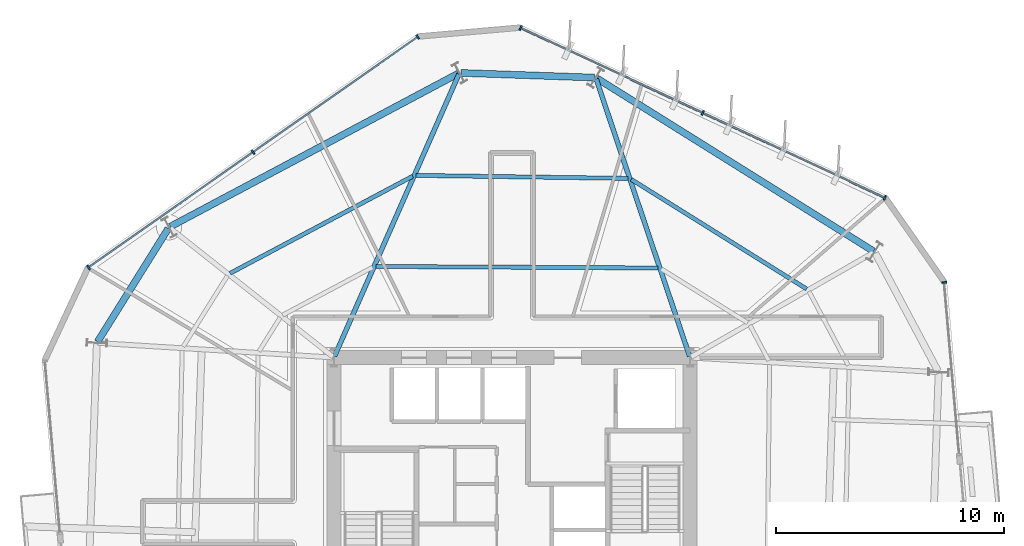
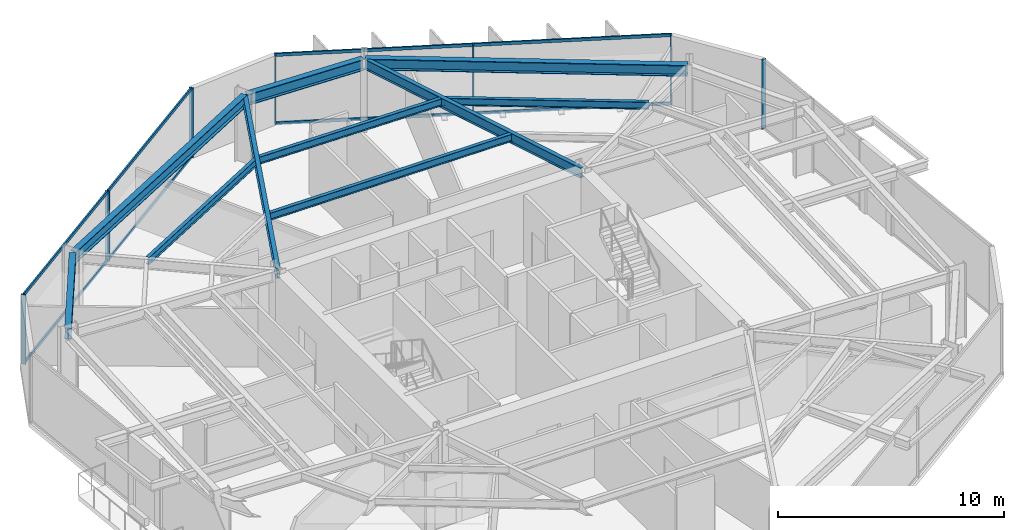
# One storey, part 5 of 13: 15 members, 10 beams, 3 elements without a shape of their own.
"""IFC4 building model written with IfcOpenShell, lengths in metres."""

from ifc_helpers import new_model, si_unit, direction, frame, origin, origin_2d, place, context, subcontext, project, spatial, rectangle, i_section, extrude, material, layer, layer_set, material_profile, profile_set, type_object, element, aggregate, save


model = new_model("IFC4")

# Units and contexts
model_context = context("Model", 3, precision=1e-05, world=origin(), true_north=direction((0.0, 1.0)))
body_context = subcontext(model_context, "Body", "Model", "MODEL_VIEW")
ifc_project = project(units=[si_unit("LENGTHUNIT", "METRE"), si_unit("AREAUNIT", "SQUARE_METRE"), si_unit("VOLUMEUNIT", "CUBIC_METRE"), si_unit("PLANEANGLEUNIT", "RADIAN"), si_unit("MASSUNIT", "GRAM", prefix="KILO")], contexts=[model_context])

# Site, building, storey
site_placement = place(None, origin())
site = spatial("IfcSite", under=ifc_project, at=site_placement, CompositionType="ELEMENT")
building_placement = place(site_placement, origin())
building = spatial("IfcBuilding", under=site, at=building_placement, Name="Kranzbogen Civic Tower", CompositionType="ELEMENT")
storey_placement = place(building_placement, frame((0.0, 0.0, 162.39990234375)))
storey = spatial("IfcBuildingStorey", under=building, at=storey_placement, Name="L39", CompositionType="ELEMENT", Elevation=162.39990234375)

# Curtain wall, members
ifc_material_1 = material(Name="Pale Anodised Aluminium", Category="aluminium")
ifc_layer = layer(ifc_material_1, 0.219970703125, Name="Pale Anodised Aluminium")
ifc_layer_set = layer_set([ifc_layer], Name="Pale Anodised Aluminium")
curtain_wall_type = type_object("IfcCurtainWallType", Name="Zone 2 Stick Curtain Wall System CW-03", PredefinedType="USERDEFINED", material=ifc_layer_set)
curtain_wall_1_placement = place(storey_placement, origin())
curtain_wall_1 = element("IfcCurtainWall", 1, at=curtain_wall_1_placement, inside=storey, type_object=curtain_wall_type, Name="L39 curtain wall CW-L39-F1", ObjectType="STICK CURTAIN WALL", PredefinedType="USERDEFINED")
ifc_material_profile_1 = material_profile(ifc_material_1, rectangle(XDim=0.074951171875, YDim=0.219970703125, at=origin_2d()), Name="ALU-M 75x220")
ifc_profile_set_1 = profile_set([ifc_material_profile_1], Name="Pale Anodised Aluminium")
member_type_1 = type_object("IfcMemberType", Name="Curtain Wall Mullion ALU-M 75x220", PredefinedType="MULLION", material=ifc_profile_set_1)
member_1_placement = place(storey_placement, frame((41.334716796875, 39.19873046875, 0.0), z_axis=(0.0, 0.0, 1.0), x_axis=(-0.906297342068, 0.422640660325, 0.0)))
member_1 = element("IfcMember", 2, at=member_1_placement, type_object=member_type_1, Name="CW-03 mullion 1", PredefinedType="MULLION", context=body_context, shape_type="SweptSolid", body=[
    extrude(rectangle(XDim=0.074951171875, YDim=0.219970703125, at=origin_2d()), origin(), (0.0, 0.0, 1.0), 3.760009765625),
])
member_2_placement = place(storey_placement, frame((33.35595703125, 42.91943359375, 0.0), z_axis=(0.0, 0.0, 1.0), x_axis=(-0.906297342068, 0.422640660325, 0.0)))
member_2 = element("IfcMember", 3, at=member_2_placement, type_object=member_type_1, Name="CW-03 mullion 2", PredefinedType="MULLION", context=body_context, shape_type="SweptSolid", body=[
    extrude(rectangle(XDim=0.074951171875, YDim=0.219970703125, at=origin_2d()), origin(), (0.0, 0.0, 1.0), 3.760009765625),
])
member_3_placement = place(storey_placement, frame((25.377197265625, 46.640380859375, 0.0), z_axis=(0.0, 0.0, 1.0), x_axis=(-0.906297342068, 0.422640660325, 0.0)))
member_3 = element("IfcMember", 4, at=member_3_placement, type_object=member_type_1, Name="CW-03 mullion 3", PredefinedType="MULLION", context=body_context, shape_type="SweptSolid", body=[
    extrude(rectangle(XDim=0.074951171875, YDim=0.219970703125, at=origin_2d()), origin(), (0.0, 0.0, 1.0), 3.760009765625),
])

curtain_wall_2_placement = place(storey_placement, origin())
curtain_wall_2 = element("IfcCurtainWall", 5, at=curtain_wall_2_placement, inside=storey, type_object=curtain_wall_type, Name="L39 curtain wall CW-L39-F2", ObjectType="STICK CURTAIN WALL", PredefinedType="USERDEFINED")
member_4_placement = place(storey_placement, frame((20.871337890625, 46.246826171875, 0.0), z_axis=(0.0, 0.0, 1.0), x_axis=(-0.819128209285, -0.573610474759, 0.0)))
member_4 = element("IfcMember", 6, at=member_4_placement, type_object=member_type_1, Name="CW-03 mullion 1", PredefinedType="MULLION", context=body_context, shape_type="SweptSolid", body=[
    extrude(rectangle(XDim=0.074951171875, YDim=0.219970703125, at=origin_2d()), origin(), (0.0, 0.0, 1.0), 3.760009765625),
])
member_5_placement = place(storey_placement, frame((13.659423828125, 41.196533203125, 0.0), z_axis=(0.0, 0.0, 1.0), x_axis=(-0.819128209285, -0.573610474759, 0.0)))
member_5 = element("IfcMember", 7, at=member_5_placement, type_object=member_type_1, Name="CW-03 mullion 2", PredefinedType="MULLION", context=body_context, shape_type="SweptSolid", body=[
    extrude(rectangle(XDim=0.074951171875, YDim=0.219970703125, at=origin_2d()), origin(), (0.0, 0.0, 1.0), 3.760009765625),
])
member_6_placement = place(storey_placement, frame((6.447509765625, 36.146240234375, 0.0), z_axis=(0.0, 0.0, 1.0), x_axis=(-0.819128209285, -0.573610474759, 0.0)))
member_6 = element("IfcMember", 8, at=member_6_placement, type_object=member_type_1, Name="CW-03 mullion 3", PredefinedType="MULLION", context=body_context, shape_type="SweptSolid", body=[
    extrude(rectangle(XDim=0.074951171875, YDim=0.219970703125, at=origin_2d()), origin(), (0.0, 0.0, 1.0), 3.760009765625),
])

# Curtain wall, member
curtain_wall_3_placement = place(storey_placement, origin())
curtain_wall_3 = element("IfcCurtainWall", 9, at=curtain_wall_3_placement, inside=storey, type_object=curtain_wall_type, Name="L39 curtain wall CW-L39-F6-S2", ObjectType="STICK CURTAIN WALL", PredefinedType="USERDEFINED")
member_7_placement = place(storey_placement, frame((43.9296875, 35.494140625, 0.0), z_axis=(0.0, 0.0, 1.0), x_axis=(-0.087098710395, 0.996199686131, 0.0)))
member_7 = element("IfcMember", 10, at=member_7_placement, type_object=member_type_1, Name="CW-03 mullion 2", PredefinedType="MULLION", context=body_context, shape_type="SweptSolid", body=[
    extrude(rectangle(XDim=0.074951171875, YDim=0.219970703125, at=origin_2d()), origin(), (0.0, 0.0, 1.0), 3.760009765625),
])
aggregate(curtain_wall_3, [member_7])

# Member
ifc_material_profile_2 = material_profile(ifc_material_1, rectangle(XDim=0.074951171875, YDim=0.1650390625, at=origin_2d()), Name="ALU-T 75x165")
ifc_profile_set_2 = profile_set([ifc_material_profile_2], Name="Pale Anodised Aluminium")
member_type_2 = type_object("IfcMemberType", Name="Curtain Wall Transom ALU-T 75x165", PredefinedType="USERDEFINED", material=ifc_profile_set_2)
member_8_placement = place(storey_placement, frame((41.3076171875, 39.21142578125, 0.030029296875), z_axis=(-0.906301519414, 0.422631702441, 0.0), x_axis=(-0.422631702441, -0.906301519414, 0.0)))
member_8 = element("IfcMember", 11, at=member_8_placement, type_object=member_type_2, Name="CW-03 transom 1.1", ObjectType="TRANSOM", PredefinedType="USERDEFINED", context=body_context, shape_type="SweptSolid", body=[
    extrude(rectangle(XDim=0.074951171875, YDim=0.1650390625, at=origin_2d()), origin(), (0.0, 0.0, 1.0), 8.74365234375),
])

member_9_placement = place(storey_placement, frame((41.3076171875, 39.21142578125, 3.72998046875), z_axis=(-0.906301519414, 0.422631702441, 0.0), x_axis=(-0.422631702441, -0.906301519414, 0.0)))
member_9 = element("IfcMember", 12, at=member_9_placement, type_object=member_type_2, Name="CW-03 transom 1.2", ObjectType="TRANSOM", PredefinedType="USERDEFINED", context=body_context, shape_type="SweptSolid", body=[
    extrude(rectangle(XDim=0.074951171875, YDim=0.1650390625, at=origin_2d()), origin(), (0.0, 0.0, 1.0), 8.74365234375),
])

member_10_placement = place(storey_placement, frame((33.328857421875, 42.93212890625, 0.030029296875), z_axis=(-0.906295811831, 0.422643941702, 0.0), x_axis=(-0.422643941702, -0.906295811831, 0.0)))
member_10 = element("IfcMember", 13, at=member_10_placement, type_object=member_type_2, Name="CW-03 transom 2.1", ObjectType="TRANSOM", PredefinedType="USERDEFINED", context=body_context, shape_type="SweptSolid", body=[
    extrude(rectangle(XDim=0.074951171875, YDim=0.1650390625, at=origin_2d()), origin(), (0.0, 0.0, 1.0), 8.743896484375),
])

member_11_placement = place(storey_placement, frame((33.328857421875, 42.93212890625, 3.72998046875), z_axis=(-0.906295811831, 0.422643941702, 0.0), x_axis=(-0.422643941702, -0.906295811831, 0.0)))
member_11 = element("IfcMember", 14, at=member_11_placement, type_object=member_type_2, Name="CW-03 transom 2.2", ObjectType="TRANSOM", PredefinedType="USERDEFINED", context=body_context, shape_type="SweptSolid", body=[
    extrude(rectangle(XDim=0.074951171875, YDim=0.1650390625, at=origin_2d()), origin(), (0.0, 0.0, 1.0), 8.743896484375),
])

aggregate(curtain_wall_1, [member_1, member_2, member_3, member_8, member_9, member_10, member_11])

member_12_placement = place(storey_placement, frame((20.846923828125, 46.2294921875, 0.030029296875), z_axis=(-0.819130910341, -0.573606617573, 0.0), x_axis=(0.573606617573, -0.819130910341, 0.0)))
member_12 = element("IfcMember", 15, at=member_12_placement, type_object=member_type_2, Name="CW-03 transom 1.1", ObjectType="TRANSOM", PredefinedType="USERDEFINED", context=body_context, shape_type="SweptSolid", body=[
    extrude(rectangle(XDim=0.074951171875, YDim=0.1650390625, at=origin_2d()), origin(), (0.0, 0.0, 1.0), 8.744384765625),
])

member_13_placement = place(storey_placement, frame((20.846923828125, 46.2294921875, 3.72998046875), z_axis=(-0.819130910341, -0.573606617573, 0.0), x_axis=(0.573606617573, -0.819130910341, 0.0)))
member_13 = element("IfcMember", 16, at=member_13_placement, type_object=member_type_2, Name="CW-03 transom 1.2", ObjectType="TRANSOM", PredefinedType="USERDEFINED", context=body_context, shape_type="SweptSolid", body=[
    extrude(rectangle(XDim=0.074951171875, YDim=0.1650390625, at=origin_2d()), origin(), (0.0, 0.0, 1.0), 8.744384765625),
])

member_14_placement = place(storey_placement, frame((13.635009765625, 41.17919921875, 0.030029296875), z_axis=(-0.819130910341, -0.573606617573, 0.0), x_axis=(0.573606617573, -0.819130910341, 0.0)))
member_14 = element("IfcMember", 17, at=member_14_placement, type_object=member_type_2, Name="CW-03 transom 2.1", ObjectType="TRANSOM", PredefinedType="USERDEFINED", context=body_context, shape_type="SweptSolid", body=[
    extrude(rectangle(XDim=0.074951171875, YDim=0.1650390625, at=origin_2d()), origin(), (0.0, 0.0, 1.0), 8.744384765625),
])

member_15_placement = place(storey_placement, frame((13.635009765625, 41.17919921875, 3.72998046875), z_axis=(-0.819130910341, -0.573606617573, 0.0), x_axis=(0.573606617573, -0.819130910341, 0.0)))
member_15 = element("IfcMember", 18, at=member_15_placement, type_object=member_type_2, Name="CW-03 transom 2.2", ObjectType="TRANSOM", PredefinedType="USERDEFINED", context=body_context, shape_type="SweptSolid", body=[
    extrude(rectangle(XDim=0.074951171875, YDim=0.1650390625, at=origin_2d()), origin(), (0.0, 0.0, 1.0), 8.744384765625),
])

aggregate(curtain_wall_2, [member_4, member_5, member_6, member_12, member_13, member_14, member_15])

# Beams
ifc_material_2 = material(Name="Steel S355", Category="steel")
ifc_material_profile_3 = material_profile(ifc_material_2, i_section(OverallWidth=0.300048828125, OverallDepth=0.60009765625, WebThickness=0.015380859375, FlangeThickness=0.030029296875, at=origin_2d()), Name="HEB 600")
ifc_profile_set_3 = profile_set([ifc_material_profile_3], Name="Steel S355")
beam_type_1 = type_object("IfcBeamType", Name="Perimeter Tube Spandrel Beam HEB 600", PredefinedType="SPANDREL", material=ifc_profile_set_3)
beam_1_placement = place(storey_placement, frame((40.8349609375, 36.861083984375, 3.460205078125), z_axis=(-0.848051101349, 0.52991445489, 0.0), x_axis=(-0.52991445489, -0.848051101349, 0.0)))
element("IfcBeam", 19, at=beam_1_placement, inside=storey, type_object=beam_type_1, Name="L39 perimeter spandrel beam 08", PredefinedType="SPANDREL", context=body_context, shape_type="SweptSolid", body=[
    extrude(i_section(OverallWidth=0.300048828125, OverallDepth=0.60009765625, WebThickness=0.015380859375, FlangeThickness=0.030029296875, at=origin_2d()), origin(), (0.0, 0.0, 1.0), 14.286865234375),
])
beam_2_placement = place(storey_placement, frame((28.60791015625, 44.466064453125, 3.460205078125), z_axis=(-0.999393148233, 0.03483296234, 0.0), x_axis=(-0.03483296234, -0.999393148233, 0.0)))
element("IfcBeam", 20, at=beam_2_placement, inside=storey, type_object=beam_type_1, Name="L39 perimeter spandrel beam 09", PredefinedType="SPANDREL", context=body_context, shape_type="SweptSolid", body=[
    extrude(i_section(OverallWidth=0.300048828125, OverallDepth=0.60009765625, WebThickness=0.015380859375, FlangeThickness=0.030029296875, at=origin_2d()), origin(), (0.0, 0.0, 1.0), 5.8525390625),
])
beam_3_placement = place(storey_placement, frame((22.64599609375, 44.64404296875, 3.460205078125), z_axis=(-0.882948194046, -0.469470432116, 0.0), x_axis=(0.469470432116, -0.882948194046, 0.0)))
element("IfcBeam", 21, at=beam_3_placement, inside=storey, type_object=beam_type_1, Name="L39 perimeter spandrel beam 10", PredefinedType="SPANDREL", context=body_context, shape_type="SweptSolid", body=[
    extrude(i_section(OverallWidth=0.300048828125, OverallDepth=0.60009765625, WebThickness=0.015380859375, FlangeThickness=0.030029296875, at=origin_2d()), origin(), (0.0, 0.0, 1.0), 14.28857421875),
])
beam_4_placement = place(storey_placement, frame((9.945068359375, 37.85693359375, 3.460205078125), z_axis=(-0.529863902903, -0.848082687242, 0.0), x_axis=(0.848082687242, -0.529863902903, 0.0)))
element("IfcBeam", 22, at=beam_4_placement, inside=storey, type_object=beam_type_1, Name="L39 perimeter spandrel beam 11", PredefinedType="SPANDREL", context=body_context, shape_type="SweptSolid", body=[
    extrude(i_section(OverallWidth=0.300048828125, OverallDepth=0.60009765625, WebThickness=0.015380859375, FlangeThickness=0.030029296875, at=origin_2d()), origin(), (0.0, 0.0, 1.0), 5.850830078125),
])
ifc_material_profile_4 = material_profile(ifc_material_2, i_section(OverallWidth=0.2099609375, OverallDepth=0.550048828125, WebThickness=0.010986328125, FlangeThickness=0.01708984375, at=origin_2d()), Name="IPE 550")
ifc_profile_set_4 = profile_set([ifc_material_profile_4], Name="Steel S355")
beam_type_2 = type_object("IfcBeamType", Name="Radial Tower Floor Girder IPE 550", PredefinedType="BEAM", material=ifc_profile_set_4)
beam_5_placement = place(storey_placement, frame((28.68701171875, 44.406982421875, 3.485107421875), z_axis=(0.319316617377, -0.947648087566, 0.0), x_axis=(0.947648087566, 0.319316617377, 0.0)))
element("IfcBeam", 23, at=beam_5_placement, inside=storey, type_object=beam_type_2, Name="L39 radial floor girder 09", PredefinedType="BEAM", context=body_context, shape_type="SweptSolid", body=[
    extrude(i_section(OverallWidth=0.2099609375, OverallDepth=0.550048828125, WebThickness=0.010986328125, FlangeThickness=0.01708984375, at=origin_2d()), origin(), (0.0, 0.0, 1.0), 12.821044921875),
])
beam_6_placement = place(storey_placement, frame((22.675048828125, 44.616943359375, 3.485107421875), z_axis=(-0.403459127705, -0.914997667905, 0.0), x_axis=(0.914997667905, -0.403459127705, 0.0)))
element("IfcBeam", 24, at=beam_6_placement, inside=storey, type_object=beam_type_2, Name="L39 radial floor girder 10", PredefinedType="BEAM", context=body_context, shape_type="SweptSolid", body=[
    extrude(i_section(OverallWidth=0.2099609375, OverallDepth=0.550048828125, WebThickness=0.010986328125, FlangeThickness=0.01708984375, at=origin_2d()), origin(), (0.0, 0.0, 1.0), 13.510498046875),
])
ifc_material_profile_5 = material_profile(ifc_material_2, i_section(OverallWidth=0.179931640625, OverallDepth=0.39990234375, WebThickness=0.008544921875, FlangeThickness=0.013427734375, at=origin_2d()), Name="IPE 400")
ifc_profile_set_5 = profile_set([ifc_material_profile_5], Name="Steel S355")
beam_type_3 = type_object("IfcBeamType", Name="Secondary Composite Floor Joist IPE 400", PredefinedType="JOIST", material=ifc_profile_set_5)
beam_7_placement = place(storey_placement, frame((37.906982421875, 35.205078125, 3.56005859375), z_axis=(-0.848025549308, 0.529955345026, 0.0), x_axis=(-0.529955345026, -0.848025549308, 0.0)))
element("IfcBeam", 25, at=beam_7_placement, inside=storey, type_object=beam_type_3, Name="L39 secondary floor joist 1.08", PredefinedType="JOIST", context=body_context, shape_type="SweptSolid", body=[
    extrude(i_section(OverallWidth=0.179931640625, OverallDepth=0.39990234375, WebThickness=0.008544921875, FlangeThickness=0.013427734375, at=origin_2d()), origin(), (0.0, 0.0, 1.0), 9.06103515625),
])
beam_8_placement = place(storey_placement, frame((30.075927734375, 40.050048828125, 3.56005859375), z_axis=(-0.999900525148, 0.014104602386, 0.0), x_axis=(-0.014104602386, -0.999900525148, 0.0)))
element("IfcBeam", 26, at=beam_8_placement, inside=storey, type_object=beam_type_3, Name="L39 secondary floor joist 1.09", PredefinedType="JOIST", context=body_context, shape_type="SweptSolid", body=[
    extrude(i_section(OverallWidth=0.179931640625, OverallDepth=0.39990234375, WebThickness=0.008544921875, FlangeThickness=0.013427734375, at=origin_2d()), origin(), (0.0, 0.0, 1.0), 9.27783203125),
])
beam_9_placement = place(storey_placement, frame((31.39794921875, 36.125, 3.56005859375), z_axis=(-0.999985774147, 0.005333995002, 0.0), x_axis=(-0.005333995002, -0.999985774147, 0.0)))
element("IfcBeam", 27, at=beam_9_placement, inside=storey, type_object=beam_type_3, Name="L39 secondary floor joist 2.09", PredefinedType="JOIST", context=body_context, shape_type="SweptSolid", body=[
    extrude(i_section(OverallWidth=0.179931640625, OverallDepth=0.39990234375, WebThickness=0.008544921875, FlangeThickness=0.013427734375, at=origin_2d()), origin(), (0.0, 0.0, 1.0), 12.358154296875),
])
beam_10_placement = place(storey_placement, frame((20.64892578125, 40.14501953125, 3.56005859375), z_axis=(-0.882960787661, -0.469446746131, 0.0), x_axis=(0.469446746131, -0.882960787661, 0.0)))
element("IfcBeam", 28, at=beam_10_placement, inside=storey, type_object=beam_type_3, Name="L39 secondary floor joist 1.10", PredefinedType="JOIST", context=body_context, shape_type="SweptSolid", body=[
    extrude(i_section(OverallWidth=0.179931640625, OverallDepth=0.39990234375, WebThickness=0.008544921875, FlangeThickness=0.013427734375, at=origin_2d()), origin(), (0.0, 0.0, 1.0), 9.0615234375),
])

save(model, "model.ifc")
